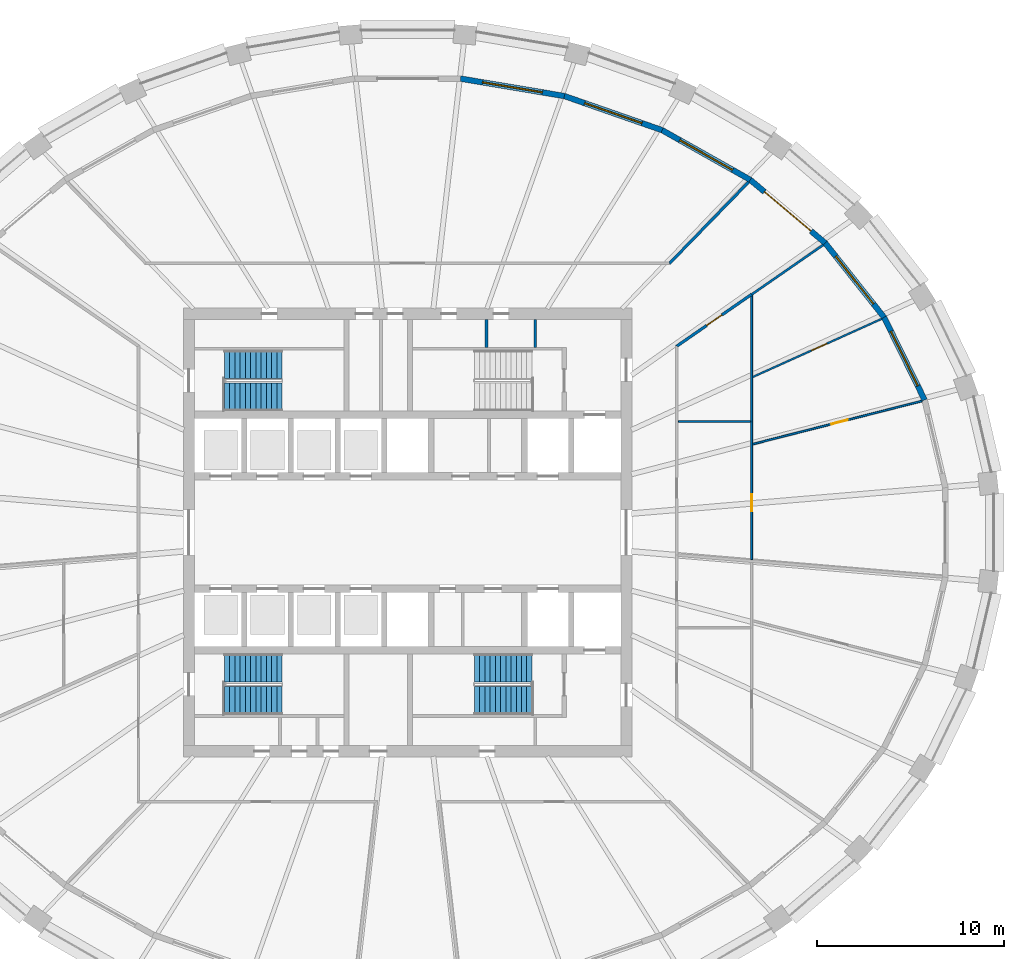
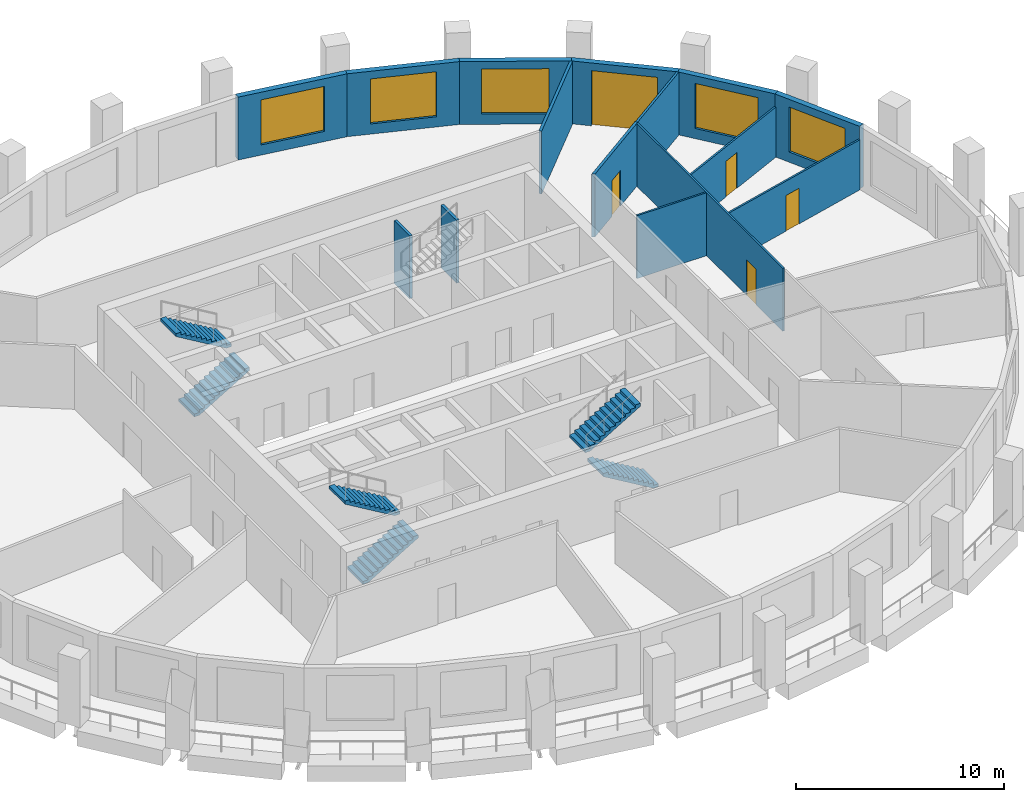
# One storey, part 7 of 11: 15 walls, 6 stair flights, 5 doors, 5 windows, 10 openings, 3 elements without a shape of their own.
"""IFC4 building model written with IfcOpenShell, lengths in metres."""

from ifc_helpers import new_model, si_unit, direction, frame, frame_2d, origin, place, context, subcontext, project, spatial, polyline, rectangle, outline, extrude, material, layer, layer_set, type_object, element, fill, aggregate, save


model = new_model("IFC4")

# Units and contexts
model_context = context("Model", 3, precision=1e-05, world=origin(), true_north=direction((0.0, 1.0)))
body_context = subcontext(model_context, "Body", "Model", "MODEL_VIEW")
ifc_project = project(units=[si_unit("LENGTHUNIT", "METRE"), si_unit("AREAUNIT", "SQUARE_METRE"), si_unit("VOLUMEUNIT", "CUBIC_METRE"), si_unit("PLANEANGLEUNIT", "RADIAN"), si_unit("MASSUNIT", "GRAM", prefix="KILO")], contexts=[model_context])

# Site, building, storey
site_placement = place(None, origin())
site = spatial("IfcSite", under=ifc_project, at=site_placement, CompositionType="ELEMENT")
building_placement = place(site_placement, origin())
building = spatial("IfcBuilding", under=site, at=building_placement, Name="Halqa Exchange Tower", CompositionType="ELEMENT")
storey_placement = place(building_placement, frame((0.0, 0.0, 234.89990234375)))
storey = spatial("IfcBuildingStorey", under=building, at=storey_placement, Name="L54", CompositionType="ELEMENT", Elevation=234.89990234375)

# Wall
ifc_material_1 = material(Name="Fire-rated gypsum board")
ifc_layer_1 = layer(ifc_material_1, 0.14990234375)
ifc_layer_set_1 = layer_set([ifc_layer_1], Name="Fire-rated gypsum board")
wall_type_1 = type_object("IfcWallType", Name="Fire partition EI 60 150", PredefinedType="PARTITIONING", material=ifc_layer_set_1)
wall_1_placement = place(storey_placement, frame((13.98779296875, 14.377197265625, 0.0), z_axis=(0.0, 0.0, 1.0), x_axis=(0.697616683155, 0.716471188105, 0.0)))
element("IfcWall", 1, at=wall_1_placement, inside=storey, type_object=wall_type_1, Name="L54-PWL-015", PredefinedType="PARTITIONING", context=body_context, shape_type="SweptSolid", body=[
    extrude(outline(polyline([(6.098876953125, -0.074951171875), (6.098876953125, -0.07275390625), (6.09375, -0.002197265625), (6.073486328125, 0.074951171875), (4.57080078125, 0.074951171875), (3.068359375, 0.074951171875), (1.56591796875, 0.074951171875), (0.0634765625, 0.074951171875), (0.03173828125, 0.0), (0.000244140625, -0.074951171875), (1.52490234375, -0.074951171875), (3.049560546875, -0.074951171875), (4.57421875, -0.074951171875), (6.098876953125, -0.074951171875)])), origin(), (0.0, 0.0, 1.0), 3.7001953125),
])

# Wall, opening, door
wall_2_placement = place(storey_placement, frame((14.36767578125, 9.947509765625, 0.0), z_axis=(0.0, 0.0, 1.0), x_axis=(0.822102584422, 0.56933938972, 0.0)))
wall_2 = element("IfcWall", 2, at=wall_2_placement, inside=storey, type_object=wall_type_1, Name="L54-PWL-021", PredefinedType="PARTITIONING", context=body_context, shape_type="SweptSolid", body=[
    extrude(outline(polyline([(4.90478515625, 0.074951171875), (3.27001953125, 0.074951171875), (1.635009765625, 0.074951171875), (0.000244140625, 0.074951171875), (0.07861328125, -0.074951171875), (1.6875, -0.074951171875), (3.296142578125, -0.074951171875), (4.90478515625, -0.074951171875), (4.90478515625, 0.074951171875)])), origin(), (0.0, 0.0, 1.0), 3.7001953125),
])
opening_1_placement = place(wall_2_placement, frame((1.971923828125, 0.0, 0.0)))
opening_1 = element("IfcOpeningElement", 3, at=opening_1_placement, cuts=wall_2, Name="Opening 16-09", PredefinedType="OPENING", context=body_context, shape_type="SweptSolid", body=[
    extrude(rectangle(XDim=1.0, YDim=2.10009765625, at=frame_2d((0.5, 1.050048828125))), frame((0.0, 0.0869140625, 0.0), z_axis=(0.0, -1.0, 0.0), x_axis=(1.0, 0.0, 0.0)), (0.0, 0.0, 1.0), 0.173828125),
])
ifc_material_2 = material(Name="Steel fire door leaf", Category="steel")
door_type_1 = type_object("IfcDoorType", Name="Fire door FD30S 1000 x 2100", OperationType="SINGLE_SWING_LEFT", PredefinedType="DOOR", material=ifc_material_2)
door_1_placement = place(opening_1_placement, frame((1.0, 0.0, 0.0), z_axis=(0.0, 0.0, 1.0), x_axis=(-1.0, 0.0, 0.0)))
door_1 = element("IfcDoor", 4, at=door_1_placement, inside=storey, type_object=door_type_1, Name="L54-IDR-009", OperationType="SINGLE_SWING_LEFT", OverallHeight=2.10009765625, OverallWidth=1.0, PredefinedType="DOOR", context=body_context, shape_type="SweptSolid", body=[
    extrude(rectangle(XDim=1.0, YDim=2.10009765625, at=frame_2d((0.5, 1.050048828125))), frame((0.0, 0.02490234375, 0.0), z_axis=(0.0, -1.0, 0.0), x_axis=(1.0, 0.0, 0.0)), (0.0, 0.0, 1.0), 0.050048828125),
])
fill(opening_1, door_1)

# Wall
ifc_material_3 = material(Name="Fire-rated glazing", Category="glass")
ifc_layer_2 = layer(ifc_material_3, 0.1201171875)
ifc_layer_set_2 = layer_set([ifc_layer_2], Name="Fire-rated glazing")
wall_type_2 = type_object("IfcWallType", Name="Glazed fire partition EI 60 120", PredefinedType="PARTITIONING", material=ifc_layer_set_2)
wall_3_placement = place(storey_placement, frame((18.40478515625, 12.7333984375, 0.0), z_axis=(0.0, 0.0, 1.0), x_axis=(0.821978662859, 0.569518285751, 0.0)))
element("IfcWall", 5, at=wall_3_placement, inside=storey, type_object=wall_type_2, Name="L54-PWL-031", PredefinedType="PARTITIONING", context=body_context, shape_type="SweptSolid", body=[
    extrude(outline(polyline([(4.65234375, -0.06005859375), (4.65234375, -0.0546875), (4.64892578125, 0.0), (4.632568359375, 0.06005859375), (3.08837890625, 0.06005859375), (1.544189453125, 0.06005859375), (0.0, 0.06005859375), (0.0, -0.051025390625), (0.01318359375, -0.06005859375), (1.5595703125, -0.06005859375), (3.10595703125, -0.06005859375), (4.65234375, -0.06005859375)])), origin(), (0.0, 0.0, 1.0), 3.7001953125),
])

# Wall, opening, door
ifc_material_4 = material(Name="Gypsum board")
ifc_layer_3 = layer(ifc_material_4, 0.10009765625)
ifc_layer_set_3 = layer_set([ifc_layer_3], Name="Gypsum board")
wall_type_3 = type_object("IfcWallType", Name="Partition 100 gypsum", PredefinedType="PARTITIONING", material=ifc_layer_set_3)
wall_4_placement = place(storey_placement, frame((18.39990234375, -1.45947265625, 0.0), z_axis=(0.0, 0.0, 1.0), x_axis=(0.0, 1.0, 0.0)))
wall_4 = element("IfcWall", 6, at=wall_4_placement, inside=storey, type_object=wall_type_3, Name="L54-PWL-027", PredefinedType="PARTITIONING", context=body_context, shape_type="SweptSolid", body=[
    extrude(outline(polyline([(0.0, -0.050048828125), (1.556640625, -0.050048828125), (3.11328125, -0.050048828125), (4.669921875, -0.050048828125), (6.2265625, -0.050048828125), (6.2333984375, -0.04833984375), (6.23388671875, -0.050048828125), (8.02734375, -0.050048828125), (9.821044921875, -0.050048828125), (9.825927734375, -0.0478515625), (9.826904296875, -0.050048828125), (11.26806640625, -0.050048828125), (12.70947265625, -0.050048828125), (14.15087890625, -0.050048828125), (14.15087890625, -0.049560546875), (14.14453125, -0.040283203125), (14.15087890625, -0.035888671875), (14.15087890625, -0.03369140625), (14.1376953125, -0.042724609375), (14.073486328125, 0.050048828125), (12.41748046875, 0.050048828125), (10.761474609375, 0.050048828125), (9.10546875, 0.050048828125), (7.449462890625, 0.050048828125), (7.449462890625, 0.0498046875), (7.349365234375, 0.0498046875), (7.349365234375, 0.050048828125), (5.51416015625, 0.050048828125), (3.6787109375, 0.050048828125), (1.843505859375, 0.050048828125), (0.008056640625, 0.050048828125), (0.0, -0.047607421875), (0.0, -0.050048828125)])), origin(), (0.0, 0.0, 1.0), 3.7001953125),
])
opening_2_placement = place(wall_4_placement, frame((2.599609375, 0.0, 0.0)))
opening_2 = element("IfcOpeningElement", 7, at=opening_2_placement, cuts=wall_4, Name="Opening 16-14", PredefinedType="OPENING", context=body_context, shape_type="SweptSolid", body=[
    extrude(rectangle(XDim=0.89990234375, YDim=2.10009765625, at=frame_2d((0.449951171875, 1.050048828125))), frame((0.0, 0.06201171875, 0.0), z_axis=(0.0, -1.0, 0.0), x_axis=(1.0, 0.0, 0.0)), (0.0, 0.0, 1.0), 0.1240234375),
])
ifc_material_5 = material(Name="Timber door leaf", Category="wood")
door_type_2 = type_object("IfcDoorType", Name="Door 900 x 2100", OperationType="SINGLE_SWING_LEFT", PredefinedType="DOOR", material=ifc_material_5)
door_2_placement = place(opening_2_placement, origin())
door_2 = element("IfcDoor", 8, at=door_2_placement, inside=storey, type_object=door_type_2, Name="L54-IDR-014", OperationType="SINGLE_SWING_RIGHT", OverallHeight=2.10009765625, OverallWidth=0.89990234375, PredefinedType="DOOR", context=body_context, shape_type="SweptSolid", body=[
    extrude(rectangle(XDim=0.89990234375, YDim=2.10009765625, at=frame_2d((0.449951171875, 1.050048828125))), frame((0.0, 0.02490234375, 0.0), z_axis=(0.0, -1.0, 0.0), x_axis=(1.0, 0.0, 0.0)), (0.0, 0.0, 1.0), 0.050048828125),
])
fill(opening_2, door_2)

wall_5_placement = place(storey_placement, frame((18.437744140625, 4.719482421875, 0.0), z_axis=(0.0, 0.0, 1.0), x_axis=(0.968975503795, 0.247156778269, 0.0)))
wall_5 = element("IfcWall", 9, at=wall_5_placement, inside=storey, type_object=wall_type_3, Name="L54-PWL-028", PredefinedType="PARTITIONING", context=body_context, shape_type="SweptSolid", body=[
    extrude(outline(polyline([(9.3671875, -0.050048828125), (9.3671875, 0.008056640625), (9.3583984375, 0.050048828125), (7.49169921875, 0.050048828125), (5.625244140625, 0.050048828125), (3.758544921875, 0.050048828125), (1.89208984375, 0.050048828125), (0.025390625, 0.050048828125), (0.0, -0.049560546875), (0.0, -0.050048828125), (1.87353515625, -0.050048828125), (3.746826171875, -0.050048828125), (5.620361328125, -0.050048828125), (7.49365234375, -0.050048828125), (9.3671875, -0.050048828125)])), origin(), (0.0, 0.0, 1.0), 2.947021484375),
])
opening_3_placement = place(wall_5_placement, frame((4.36669921875, 0.0, 0.0)))
opening_3 = element("IfcOpeningElement", 10, at=opening_3_placement, cuts=wall_5, Name="Opening 16-15", PredefinedType="OPENING", context=body_context, shape_type="SweptSolid", body=[
    extrude(rectangle(XDim=0.89990234375, YDim=2.10009765625, at=frame_2d((0.449951171875, 1.050048828125))), frame((0.0, 0.06201171875, 0.0), z_axis=(0.0, -1.0, 0.0), x_axis=(1.0, 0.0, 0.0)), (0.0, 0.0, 1.0), 0.1240234375),
])
door_3_placement = place(opening_3_placement, origin())
door_3 = element("IfcDoor", 11, at=door_3_placement, inside=storey, type_object=door_type_2, Name="L54-IDR-015", OperationType="SINGLE_SWING_RIGHT", OverallHeight=2.10009765625, OverallWidth=0.89990234375, PredefinedType="DOOR", context=body_context, shape_type="SweptSolid", body=[
    extrude(rectangle(XDim=0.89990234375, YDim=2.10009765625, at=frame_2d((0.449951171875, 1.050048828125))), frame((0.0, 0.02490234375, 0.0), z_axis=(0.0, -1.0, 0.0), x_axis=(1.0, 0.0, 0.0)), (0.0, 0.0, 1.0), 0.050048828125),
])
fill(opening_3, door_3)

# Wall
wall_6_placement = place(storey_placement, frame((18.35009765625, 5.93994140625, 0.0), z_axis=(0.0, 0.0, 1.0), x_axis=(-1.0, 0.0, 0.0)))
element("IfcWall", 12, at=wall_6_placement, inside=storey, type_object=wall_type_3, Name="L54-PWL-029", PredefinedType="PARTITIONING", context=body_context, shape_type="SweptSolid", body=[
    extrude(rectangle(XDim=3.875, YDim=0.10009765625, at=frame_2d((1.9375, 0.0))), origin(), (0.0, 0.0, 1.0), 3.7001953125),
])

# Wall, opening, door
wall_7_placement = place(storey_placement, frame((18.4296875, 8.303466796875, 0.0), z_axis=(0.0, 0.0, 1.0), x_axis=(0.911623805038, 0.411025592985, 0.0)))
wall_7 = element("IfcWall", 13, at=wall_7_placement, inside=storey, type_object=wall_type_3, Name="L54-PWL-030", PredefinedType="PARTITIONING", context=body_context, shape_type="SweptSolid", body=[
    extrude(outline(polyline([(7.601806640625, -0.050048828125), (7.601806640625, -0.045166015625), (7.600341796875, 0.001953125), (7.588134765625, 0.050048828125), (5.702392578125, 0.050048828125), (3.81640625, 0.050048828125), (1.9306640625, 0.050048828125), (0.044921875, 0.050048828125), (0.0, -0.04931640625), (0.0, -0.050048828125), (1.900390625, -0.050048828125), (3.80078125, -0.050048828125), (5.701416015625, -0.050048828125), (7.601806640625, -0.050048828125)])), origin(), (0.0, 0.0, 1.0), 2.947021484375),
])
opening_4_placement = place(wall_7_placement, frame((3.48291015625, 0.0, 0.0)))
opening_4 = element("IfcOpeningElement", 14, at=opening_4_placement, cuts=wall_7, Name="Opening 16-16", PredefinedType="OPENING", context=body_context, shape_type="SweptSolid", body=[
    extrude(rectangle(XDim=0.89990234375, YDim=2.10009765625, at=frame_2d((0.449951171875, 1.050048828125))), frame((0.0, 0.06201171875, 0.0), z_axis=(0.0, -1.0, 0.0), x_axis=(1.0, 0.0, 0.0)), (0.0, 0.0, 1.0), 0.1240234375),
])
door_4_placement = place(opening_4_placement, origin())
door_4 = element("IfcDoor", 15, at=door_4_placement, inside=storey, type_object=door_type_2, Name="L54-IDR-016", OperationType="SINGLE_SWING_RIGHT", OverallHeight=2.10009765625, OverallWidth=0.89990234375, PredefinedType="DOOR", context=body_context, shape_type="SweptSolid", body=[
    extrude(rectangle(XDim=0.89990234375, YDim=2.10009765625, at=frame_2d((0.449951171875, 1.050048828125))), frame((0.0, 0.02490234375, 0.0), z_axis=(0.0, -1.0, 0.0), x_axis=(1.0, 0.0, 0.0)), (0.0, 0.0, 1.0), 0.050048828125),
])
fill(opening_4, door_4)

# Walls
ifc_layer_4 = layer(ifc_material_4, 0.14990234375)
ifc_layer_set_4 = layer_set([ifc_layer_4], Name="Gypsum board")
wall_type_4 = type_object("IfcWallType", Name="Penthouse riser wall 150 gypsum", PredefinedType="PARTITIONING", material=ifc_layer_set_4)
for number, where, z_axis, x_axis, name in (
    (16, (4.22509765625, 9.89990234375, 0.0), (0.0, 0.0, 1.0), (0.0, 1.0, 0.0), "Partition E4.225 N"),
    (17, (6.824951171875, 9.89990234375, 0.0), (0.0, 0.0, 1.0), (0.0, 1.0, 0.0), "Firefighting lobby west wall N"),
):
    element("IfcWall", number, at=place(storey_placement, frame(where, z_axis=z_axis, x_axis=x_axis)), inside=storey, type_object=wall_type_4, Name=name, PredefinedType="PARTITIONING", context=body_context, shape_type="SweptSolid", body=[
        extrude(rectangle(XDim=1.5, YDim=0.14990234375, at=frame_2d((0.75, 0.0))), origin(), (0.0, 0.0, 1.0), 3.7001953125),
    ])

# Wall, opening, window
ifc_material_6 = material(Name="Limestone cladding", Category="masonry")
ifc_layer_5 = layer(ifc_material_6, 0.0400390625)
ifc_material_7 = material(Name="Ventilated cavity")
ifc_layer_6 = layer(ifc_material_7, 0.030029296875, ventilated=True)
ifc_material_8 = material(Name="Mineral wool insulation")
ifc_layer_7 = layer(ifc_material_8, 0.10009765625)
ifc_material_9 = material(Name="Concrete C30/37", Category="concrete")
ifc_layer_8 = layer(ifc_material_9, 0.10009765625)
ifc_material_10 = material(Name="Internal plaster")
ifc_layer_9 = layer(ifc_material_10, 0.030029296875)
ifc_layer_set_5 = layer_set([ifc_layer_5, ifc_layer_6, ifc_layer_7, ifc_layer_8, ifc_layer_9], Name="Stone-faced insulated wall 300")
wall_type_5 = type_object("IfcWallType", Name="Stone-faced insulated wall 300", PredefinedType="STANDARD", material=ifc_layer_set_5)
wall_8_placement = place(storey_placement, frame((27.656494140625, 7.0888671875, 0.0), z_axis=(0.0, 0.0, 1.0), x_axis=(-0.440857641837, 0.897577038272, 0.0)))
wall_8 = element("IfcWall", 18, at=wall_8_placement, inside=storey, type_object=wall_type_5, Name="Glass-line wall 2", PredefinedType="STANDARD", context=body_context, shape_type="SweptSolid", body=[
    extrude(outline(polyline([(-0.016845703125, -0.14990234375), (4.94140625, -0.14990234375), (4.9091796875, 0.14990234375), (0.016845703125, 0.14990234375), (-0.016845703125, -0.14990234375)])), origin(), (0.0, 0.0, 1.0), 3.7001953125),
])
opening_5_placement = place(wall_8_placement, frame((0.837646484375, 0.0, 0.60009765625)))
opening_5 = element("IfcOpeningElement", 19, at=opening_5_placement, cuts=wall_8, Name="Opening W-F3-02", PredefinedType="OPENING", context=body_context, shape_type="SweptSolid", body=[
    extrude(rectangle(XDim=3.25, YDim=2.64990234375, at=frame_2d((1.625, 1.324951171875))), frame((0.0, 0.162109375, 0.0), z_axis=(0.0, -1.0, 0.0), x_axis=(1.0, 0.0, 0.0)), (0.0, 0.0, 1.0), 0.323974609375),
])
ifc_material_11 = material(Name="Clear low-emissivity glass in aluminium frame", Category="aluminium")
window_type = type_object("IfcWindowType", Name="Fixed clear glazed window 3250 x 2650", PartitioningType="TRIPLE_PANEL_VERTICAL", PredefinedType="WINDOW", material=ifc_material_11)
window_1_placement = place(opening_5_placement, origin())
window_1 = element("IfcWindow", 20, at=window_1_placement, inside=storey, type_object=window_type, Name="Window 3", OverallHeight=2.64990234375, OverallWidth=3.25, PartitioningType="TRIPLE_PANEL_VERTICAL", PredefinedType="WINDOW", context=body_context, shape_type="SweptSolid", body=[
    extrude(rectangle(XDim=3.25, YDim=2.64990234375, at=frame_2d((1.625, 1.324951171875))), frame((0.0, 0.030029296875, 0.0), z_axis=(0.0, -1.0, 0.0), x_axis=(1.0, 0.0, 0.0)), (0.0, 0.0, 1.0), 0.06005859375),
])
fill(opening_5, window_1)

wall_9_placement = place(storey_placement, frame((25.485107421875, 11.509765625, 0.0), z_axis=(0.0, 0.0, 1.0), x_axis=(-0.621084984443, 0.783743224596, 0.0)))
wall_9 = element("IfcWall", 21, at=wall_9_placement, inside=storey, type_object=wall_type_5, Name="Glass-line wall 3", PredefinedType="STANDARD", context=body_context, shape_type="SweptSolid", body=[
    extrude(outline(polyline([(-0.01611328125, -0.14990234375), (5.08837890625, -0.14990234375), (5.05810546875, 0.14990234375), (0.01611328125, 0.14990234375), (-0.01611328125, -0.14990234375)])), origin(), (0.0, 0.0, 1.0), 3.7001953125),
])
opening_6_placement = place(wall_9_placement, frame((0.91162109375, 0.0, 0.60009765625)))
opening_6 = element("IfcOpeningElement", 22, at=opening_6_placement, cuts=wall_9, Name="Opening W-F3-03", PredefinedType="OPENING", context=body_context, shape_type="SweptSolid", body=[
    extrude(rectangle(XDim=3.25, YDim=2.64990234375, at=frame_2d((1.625, 1.324951171875))), frame((0.0, 0.162109375, 0.0), z_axis=(0.0, -1.0, 0.0), x_axis=(1.0, 0.0, 0.0)), (0.0, 0.0, 1.0), 0.323974609375),
])
window_2_placement = place(opening_6_placement, origin())
window_2 = element("IfcWindow", 23, at=window_2_placement, inside=storey, type_object=window_type, Name="Window 3", OverallHeight=2.64990234375, OverallWidth=3.25, PartitioningType="TRIPLE_PANEL_VERTICAL", PredefinedType="WINDOW", context=body_context, shape_type="SweptSolid", body=[
    extrude(rectangle(XDim=3.25, YDim=2.64990234375, at=frame_2d((1.625, 1.324951171875))), frame((0.0, 0.030029296875, 0.0), z_axis=(0.0, -1.0, 0.0), x_axis=(1.0, 0.0, 0.0)), (0.0, 0.0, 1.0), 0.06005859375),
])
fill(opening_6, window_2)

# Wall, opening, door
wall_10_placement = place(storey_placement, frame((22.334228515625, 15.48583984375, 0.0), z_axis=(0.0, 0.0, 1.0), x_axis=(-0.764475071601, 0.644653290459, 0.0)))
wall_10 = element("IfcWall", 24, at=wall_10_placement, inside=storey, type_object=wall_type_5, Name="Glass-line wall 4", PredefinedType="STANDARD", context=body_context, shape_type="SweptSolid", body=[
    extrude(outline(polyline([(-0.01513671875, -0.14990234375), (5.2568359375, -0.14990234375), (5.228515625, 0.14990234375), (0.01513671875, 0.14990234375), (-0.01513671875, -0.14990234375)])), origin(), (0.0, 0.0, 1.0), 3.7001953125),
])
opening_7_placement = place(wall_10_placement, frame((0.996337890625, 0.0, 0.0)))
opening_7 = element("IfcOpeningElement", 25, at=opening_7_placement, cuts=wall_10, Name="Opening LG-F3-01", PredefinedType="OPENING", context=body_context, shape_type="SweptSolid", body=[
    extrude(rectangle(XDim=3.25, YDim=3.25, at=frame_2d((1.625, 1.625))), frame((0.0, 0.162109375, 0.0), z_axis=(0.0, -1.0, 0.0), x_axis=(1.0, 0.0, 0.0)), (0.0, 0.0, 1.0), 0.323974609375),
])
door_type_3 = type_object("IfcDoorType", Name="Glazed sliding loggia door 3250 x 3250", OperationType="DOUBLE_DOOR_SLIDING", PredefinedType="DOOR", material=ifc_material_11)
door_5_placement = place(opening_7_placement, origin())
door_5 = element("IfcDoor", 26, at=door_5_placement, inside=storey, type_object=door_type_3, Name="Loggia door 1", OperationType="DOUBLE_DOOR_SLIDING", OverallHeight=3.25, OverallWidth=3.25, PredefinedType="DOOR", context=body_context, shape_type="SweptSolid", body=[
    extrude(rectangle(XDim=3.25, YDim=3.25, at=frame_2d((1.625, 1.625))), frame((0.0, 0.02490234375, 0.0), z_axis=(0.0, -1.0, 0.0), x_axis=(1.0, 0.0, 0.0)), (0.0, 0.0, 1.0), 0.050048828125),
])
fill(opening_7, door_5)

# Wall, opening, window
wall_11_placement = place(storey_placement, frame((18.326416015625, 18.865478515625, 0.0), z_axis=(0.0, 0.0, 1.0), x_axis=(-0.871225596594, 0.490882837181, 0.0)))
wall_11 = element("IfcWall", 27, at=wall_11_placement, inside=storey, type_object=wall_type_5, Name="Glass-line wall 5", PredefinedType="STANDARD", context=body_context, shape_type="SweptSolid", body=[
    extrude(outline(polyline([(-0.01416015625, -0.14990234375), (5.420166015625, -0.14990234375), (5.393310546875, 0.14990234375), (0.01416015625, 0.14990234375), (-0.01416015625, -0.14990234375)])), origin(), (0.0, 0.0, 1.0), 3.7001953125),
])
opening_8_placement = place(wall_11_placement, frame((1.078369140625, 0.0, 0.60009765625)))
opening_8 = element("IfcOpeningElement", 28, at=opening_8_placement, cuts=wall_11, Name="Opening W-F3-05", PredefinedType="OPENING", context=body_context, shape_type="SweptSolid", body=[
    extrude(rectangle(XDim=3.25, YDim=2.64990234375, at=frame_2d((1.625, 1.324951171875))), frame((0.0, 0.162109375, 0.0), z_axis=(0.0, -1.0, 0.0), x_axis=(1.0, 0.0, 0.0)), (0.0, 0.0, 1.0), 0.323974609375),
])
window_3_placement = place(opening_8_placement, origin())
window_3 = element("IfcWindow", 29, at=window_3_placement, inside=storey, type_object=window_type, Name="Window 3", OverallHeight=2.64990234375, OverallWidth=3.25, PartitioningType="TRIPLE_PANEL_VERTICAL", PredefinedType="WINDOW", context=body_context, shape_type="SweptSolid", body=[
    extrude(rectangle(XDim=3.25, YDim=2.64990234375, at=frame_2d((1.625, 1.324951171875))), frame((0.0, 0.030029296875, 0.0), z_axis=(0.0, -1.0, 0.0), x_axis=(1.0, 0.0, 0.0)), (0.0, 0.0, 1.0), 0.06005859375),
])
fill(opening_8, window_3)

wall_12_placement = place(storey_placement, frame((13.615966796875, 21.51953125, 0.0), z_axis=(0.0, 0.0, 1.0), x_axis=(-0.944075859918, 0.329728328659, 0.0)))
wall_12 = element("IfcWall", 30, at=wall_12_placement, inside=storey, type_object=wall_type_5, Name="Glass-line wall 6", PredefinedType="STANDARD", context=body_context, shape_type="SweptSolid", body=[
    extrude(outline(polyline([(-0.013427734375, -0.14990234375), (5.554931640625, -0.14990234375), (5.529541015625, 0.14990234375), (0.013427734375, 0.14990234375), (-0.013427734375, -0.14990234375)])), origin(), (0.0, 0.0, 1.0), 3.7001953125),
])
opening_9_placement = place(wall_12_placement, frame((1.14599609375, 0.0, 0.60009765625)))
opening_9 = element("IfcOpeningElement", 31, at=opening_9_placement, cuts=wall_12, Name="Opening W-F3-06", PredefinedType="OPENING", context=body_context, shape_type="SweptSolid", body=[
    extrude(rectangle(XDim=3.25, YDim=2.64990234375, at=frame_2d((1.625, 1.324951171875))), frame((0.0, 0.162109375, 0.0), z_axis=(0.0, -1.0, 0.0), x_axis=(1.0, 0.0, 0.0)), (0.0, 0.0, 1.0), 0.323974609375),
])
window_4_placement = place(opening_9_placement, origin())
window_4 = element("IfcWindow", 32, at=window_4_placement, inside=storey, type_object=window_type, Name="Window 3", OverallHeight=2.64990234375, OverallWidth=3.25, PartitioningType="TRIPLE_PANEL_VERTICAL", PredefinedType="WINDOW", context=body_context, shape_type="SweptSolid", body=[
    extrude(rectangle(XDim=3.25, YDim=2.64990234375, at=frame_2d((1.625, 1.324951171875))), frame((0.0, 0.030029296875, 0.0), z_axis=(0.0, -1.0, 0.0), x_axis=(1.0, 0.0, 0.0)), (0.0, 0.0, 1.0), 0.06005859375),
])
fill(opening_9, window_4)

wall_13_placement = place(storey_placement, frame((8.3837890625, 23.346923828125, 0.0), z_axis=(0.0, 0.0, 1.0), x_axis=(-0.986223472554, 0.165418445715, 0.0)))
wall_13 = element("IfcWall", 33, at=wall_13_placement, inside=storey, type_object=wall_type_5, Name="Glass-line wall 7", PredefinedType="STANDARD", context=body_context, shape_type="SweptSolid", body=[
    extrude(outline(polyline([(-0.0126953125, -0.14990234375), (5.64306640625, -0.14990234375), (5.6181640625, 0.14990234375), (0.0126953125, 0.14990234375), (-0.0126953125, -0.14990234375)])), origin(), (0.0, 0.0, 1.0), 3.7001953125),
])
opening_10_placement = place(wall_13_placement, frame((1.190185546875, 0.0, 0.60009765625)))
opening_10 = element("IfcOpeningElement", 34, at=opening_10_placement, cuts=wall_13, Name="Opening W-F3-07", PredefinedType="OPENING", context=body_context, shape_type="SweptSolid", body=[
    extrude(rectangle(XDim=3.25, YDim=2.64990234375, at=frame_2d((1.625, 1.324951171875))), frame((0.0, 0.162109375, 0.0), z_axis=(0.0, -1.0, 0.0), x_axis=(1.0, 0.0, 0.0)), (0.0, 0.0, 1.0), 0.323974609375),
])
window_5_placement = place(opening_10_placement, origin())
window_5 = element("IfcWindow", 35, at=window_5_placement, inside=storey, type_object=window_type, Name="Window 3", OverallHeight=2.64990234375, OverallWidth=3.25, PartitioningType="TRIPLE_PANEL_VERTICAL", PredefinedType="WINDOW", context=body_context, shape_type="SweptSolid", body=[
    extrude(rectangle(XDim=3.25, YDim=2.64990234375, at=frame_2d((1.625, 1.324951171875))), frame((0.0, 0.030029296875, 0.0), z_axis=(0.0, -1.0, 0.0), x_axis=(1.0, 0.0, 0.0)), (0.0, 0.0, 1.0), 0.06005859375),
])
fill(opening_10, window_5)

# Stair, stair flights
stair_type = type_object("IfcStairType", Name="Exit stair 1500 wide", PredefinedType="HALF_TURN_STAIR", material=ifc_material_9)
stair_1_placement = place(storey_placement, origin())
stair_1 = element("IfcStair", 36, at=stair_1_placement, inside=storey, type_object=stair_type, Name="Exit stair ST1", PredefinedType="HALF_TURN_STAIR")
stair_flight_type = type_object("IfcStairFlightType", Name="Stair flight 1500 wide", PredefinedType="STRAIGHT", material=ifc_material_9)
stair_flight_1_placement = place(storey_placement, frame((-9.800048828125, 7.25, 0.0), z_axis=(0.0, 0.0, 1.0), x_axis=(1.0, 0.0, 0.0)))
stair_flight_1 = element("IfcStairFlight", 37, at=stair_flight_1_placement, type_object=stair_flight_type, Name="ST1 flight 1", NumberOfRisers=12, NumberOfTreads=11, PredefinedType="STRAIGHT", RiserHeight=0.166666667, TreadLength=0.28, context=body_context, shape_type="SweptSolid", body=[
    extrude(outline(polyline([(0.0, 0.0), (0.0, 0.166748046875), (0.280029296875, 0.166748046875), (0.280029296875, 0.333251953125), (0.56005859375, 0.333251953125), (0.56005859375, 0.5), (0.840087890625, 0.5), (0.840087890625, 0.666748046875), (1.1201171875, 0.666748046875), (1.1201171875, 0.833251953125), (1.39990234375, 0.833251953125), (1.39990234375, 1.0), (1.679931640625, 1.0), (1.679931640625, 1.166748046875), (1.9599609375, 1.166748046875), (1.9599609375, 1.333251953125), (2.239990234375, 1.333251953125), (2.239990234375, 1.5), (2.52001953125, 1.5), (2.52001953125, 1.666748046875), (2.800048828125, 1.666748046875), (2.800048828125, 1.833251953125), (3.080078125, 1.833251953125), (3.080078125, 2.0), (3.080078125, 1.658935546875), (0.29296875, 0.0), (0.0, 0.0)])), frame((0.0, 0.75, 0.0), z_axis=(0.0, -1.0, 0.0), x_axis=(1.0, 0.0, 0.0)), (0.0, 0.0, 1.0), 1.5),
])
stair_flight_2_placement = place(storey_placement, frame((-6.719970703125, 9.0, 2.0), z_axis=(0.0, 0.0, 1.0), x_axis=(-1.0, 0.0, 0.0)))
stair_flight_2 = element("IfcStairFlight", 38, at=stair_flight_2_placement, type_object=stair_flight_type, Name="ST1 flight 2", NumberOfRisers=12, NumberOfTreads=11, PredefinedType="STRAIGHT", RiserHeight=0.166666667, TreadLength=0.28, context=body_context, shape_type="SweptSolid", body=[
    extrude(outline(polyline([(0.0, 0.0), (0.0, 0.166748046875), (0.280029296875, 0.166748046875), (0.280029296875, 0.333251953125), (0.56005859375, 0.333251953125), (0.56005859375, 0.5), (0.840087890625, 0.5), (0.840087890625, 0.666748046875), (1.1201171875, 0.666748046875), (1.1201171875, 0.833251953125), (1.39990234375, 0.833251953125), (1.39990234375, 1.0), (1.679931640625, 1.0), (1.679931640625, 1.166748046875), (1.9599609375, 1.166748046875), (1.9599609375, 1.333251953125), (2.239990234375, 1.333251953125), (2.239990234375, 1.5), (2.52001953125, 1.5), (2.52001953125, 1.666748046875), (2.800048828125, 1.666748046875), (2.800048828125, 1.833251953125), (3.080078125, 1.833251953125), (3.080078125, 2.0), (3.080078125, 1.658935546875), (0.29296875, 0.0), (0.0, 0.0)])), frame((0.0, 0.75, 0.0), z_axis=(0.0, -1.0, 0.0), x_axis=(1.0, 0.0, 0.0)), (0.0, 0.0, 1.0), 1.5),
])
aggregate(stair_1, [stair_flight_1, stair_flight_2])

stair_2_placement = place(storey_placement, origin())
stair_2 = element("IfcStair", 39, at=stair_2_placement, inside=storey, type_object=stair_type, Name="Exit stair ST3", PredefinedType="HALF_TURN_STAIR")
stair_flight_3_placement = place(storey_placement, frame((-9.800048828125, -9.0, 0.0), z_axis=(0.0, 0.0, 1.0), x_axis=(1.0, 0.0, 0.0)))
stair_flight_3 = element("IfcStairFlight", 40, at=stair_flight_3_placement, type_object=stair_flight_type, Name="ST3 flight 1", NumberOfRisers=12, NumberOfTreads=11, PredefinedType="STRAIGHT", RiserHeight=0.166666667, TreadLength=0.28, context=body_context, shape_type="SweptSolid", body=[
    extrude(outline(polyline([(0.0, 0.0), (0.0, 0.166748046875), (0.280029296875, 0.166748046875), (0.280029296875, 0.333251953125), (0.56005859375, 0.333251953125), (0.56005859375, 0.5), (0.840087890625, 0.5), (0.840087890625, 0.666748046875), (1.1201171875, 0.666748046875), (1.1201171875, 0.833251953125), (1.39990234375, 0.833251953125), (1.39990234375, 1.0), (1.679931640625, 1.0), (1.679931640625, 1.166748046875), (1.9599609375, 1.166748046875), (1.9599609375, 1.333251953125), (2.239990234375, 1.333251953125), (2.239990234375, 1.5), (2.52001953125, 1.5), (2.52001953125, 1.666748046875), (2.800048828125, 1.666748046875), (2.800048828125, 1.833251953125), (3.080078125, 1.833251953125), (3.080078125, 2.0), (3.080078125, 1.658935546875), (0.29296875, 0.0), (0.0, 0.0)])), frame((0.0, 0.75, 0.0), z_axis=(0.0, -1.0, 0.0), x_axis=(1.0, 0.0, 0.0)), (0.0, 0.0, 1.0), 1.5),
])
stair_flight_4_placement = place(storey_placement, frame((-6.719970703125, -7.25, 2.0), z_axis=(0.0, 0.0, 1.0), x_axis=(-1.0, 0.0, 0.0)))
stair_flight_4 = element("IfcStairFlight", 41, at=stair_flight_4_placement, type_object=stair_flight_type, Name="ST3 flight 2", NumberOfRisers=12, NumberOfTreads=11, PredefinedType="STRAIGHT", RiserHeight=0.166666667, TreadLength=0.28, context=body_context, shape_type="SweptSolid", body=[
    extrude(outline(polyline([(0.0, 0.0), (0.0, 0.166748046875), (0.280029296875, 0.166748046875), (0.280029296875, 0.333251953125), (0.56005859375, 0.333251953125), (0.56005859375, 0.5), (0.840087890625, 0.5), (0.840087890625, 0.666748046875), (1.1201171875, 0.666748046875), (1.1201171875, 0.833251953125), (1.39990234375, 0.833251953125), (1.39990234375, 1.0), (1.679931640625, 1.0), (1.679931640625, 1.166748046875), (1.9599609375, 1.166748046875), (1.9599609375, 1.333251953125), (2.239990234375, 1.333251953125), (2.239990234375, 1.5), (2.52001953125, 1.5), (2.52001953125, 1.666748046875), (2.800048828125, 1.666748046875), (2.800048828125, 1.833251953125), (3.080078125, 1.833251953125), (3.080078125, 2.0), (3.080078125, 1.658935546875), (0.29296875, 0.0), (0.0, 0.0)])), frame((0.0, 0.75, 0.0), z_axis=(0.0, -1.0, 0.0), x_axis=(1.0, 0.0, 0.0)), (0.0, 0.0, 1.0), 1.5),
])
aggregate(stair_2, [stair_flight_3, stair_flight_4])

stair_3_placement = place(storey_placement, origin())
stair_3 = element("IfcStair", 42, at=stair_3_placement, inside=storey, type_object=stair_type, Name="Exit stair ST4", PredefinedType="HALF_TURN_STAIR")
stair_flight_5_placement = place(storey_placement, frame((6.64990234375, -9.0, 0.0), z_axis=(0.0, 0.0, 1.0), x_axis=(-1.0, 0.0, 0.0)))
stair_flight_5 = element("IfcStairFlight", 43, at=stair_flight_5_placement, type_object=stair_flight_type, Name="ST4 flight 1", NumberOfRisers=12, NumberOfTreads=11, PredefinedType="STRAIGHT", RiserHeight=0.166666667, TreadLength=0.28, context=body_context, shape_type="SweptSolid", body=[
    extrude(outline(polyline([(0.0, 0.0), (0.0, 0.166748046875), (0.280029296875, 0.166748046875), (0.280029296875, 0.333251953125), (0.56005859375, 0.333251953125), (0.56005859375, 0.5), (0.840087890625, 0.5), (0.840087890625, 0.666748046875), (1.1201171875, 0.666748046875), (1.1201171875, 0.833251953125), (1.39990234375, 0.833251953125), (1.39990234375, 1.0), (1.679931640625, 1.0), (1.679931640625, 1.166748046875), (1.9599609375, 1.166748046875), (1.9599609375, 1.333251953125), (2.239990234375, 1.333251953125), (2.239990234375, 1.5), (2.52001953125, 1.5), (2.52001953125, 1.666748046875), (2.800048828125, 1.666748046875), (2.800048828125, 1.833251953125), (3.080078125, 1.833251953125), (3.080078125, 2.0), (3.080078125, 1.658935546875), (0.29296875, 0.0), (0.0, 0.0)])), frame((0.0, 0.75, 0.0), z_axis=(0.0, -1.0, 0.0), x_axis=(1.0, 0.0, 0.0)), (0.0, 0.0, 1.0), 1.5),
])
stair_flight_6_placement = place(storey_placement, frame((3.570068359375, -7.25, 2.0), z_axis=(0.0, 0.0, 1.0), x_axis=(1.0, 0.0, 0.0)))
stair_flight_6 = element("IfcStairFlight", 44, at=stair_flight_6_placement, type_object=stair_flight_type, Name="ST4 flight 2", NumberOfRisers=12, NumberOfTreads=11, PredefinedType="STRAIGHT", RiserHeight=0.166666667, TreadLength=0.28, context=body_context, shape_type="SweptSolid", body=[
    extrude(outline(polyline([(0.0, 0.0), (0.0, 0.166748046875), (0.280029296875, 0.166748046875), (0.280029296875, 0.333251953125), (0.56005859375, 0.333251953125), (0.56005859375, 0.5), (0.840087890625, 0.5), (0.840087890625, 0.666748046875), (1.1201171875, 0.666748046875), (1.1201171875, 0.833251953125), (1.39990234375, 0.833251953125), (1.39990234375, 1.0), (1.679931640625, 1.0), (1.679931640625, 1.166748046875), (1.9599609375, 1.166748046875), (1.9599609375, 1.333251953125), (2.239990234375, 1.333251953125), (2.239990234375, 1.5), (2.52001953125, 1.5), (2.52001953125, 1.666748046875), (2.800048828125, 1.666748046875), (2.800048828125, 1.833251953125), (3.080078125, 1.833251953125), (3.080078125, 2.0), (3.080078125, 1.658935546875), (0.29296875, 0.0), (0.0, 0.0)])), frame((0.0, 0.75, 0.0), z_axis=(0.0, -1.0, 0.0), x_axis=(1.0, 0.0, 0.0)), (0.0, 0.0, 1.0), 1.5),
])
aggregate(stair_3, [stair_flight_5, stair_flight_6])

save(model, "model.ifc")
